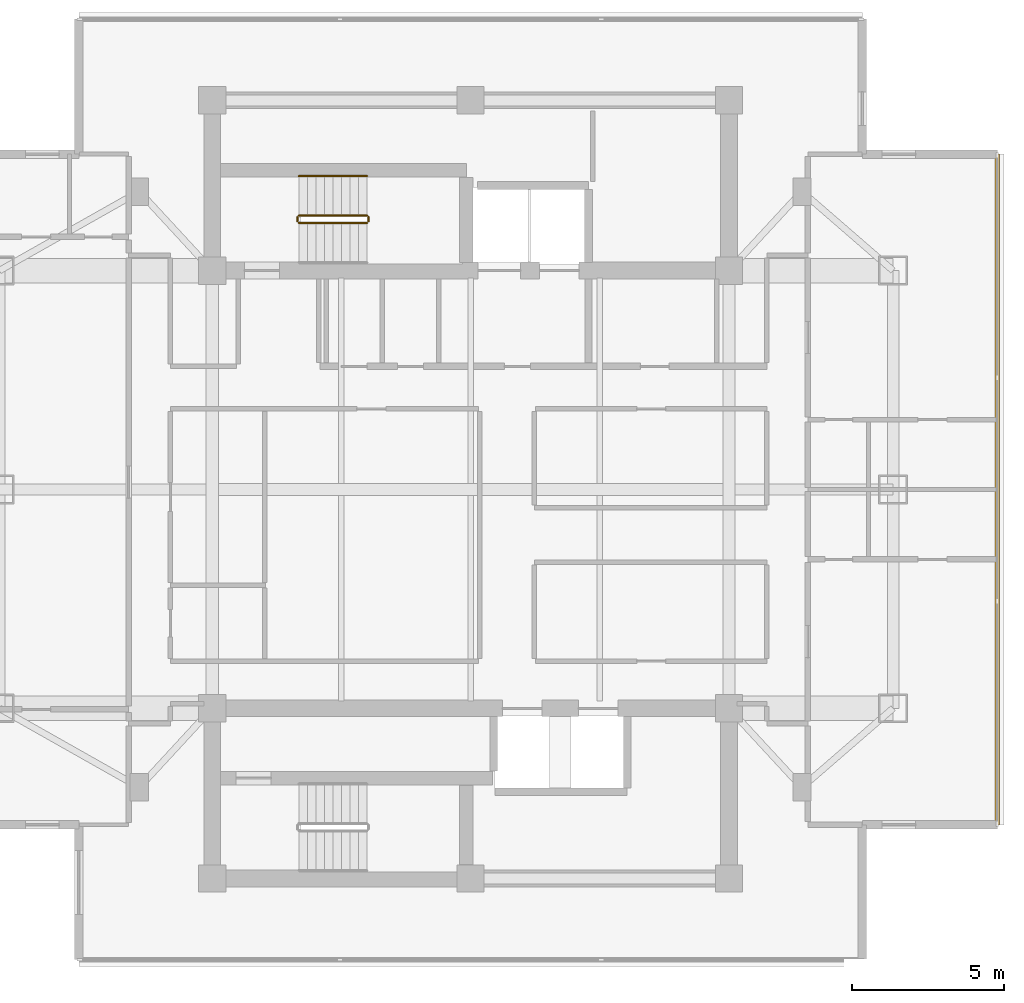
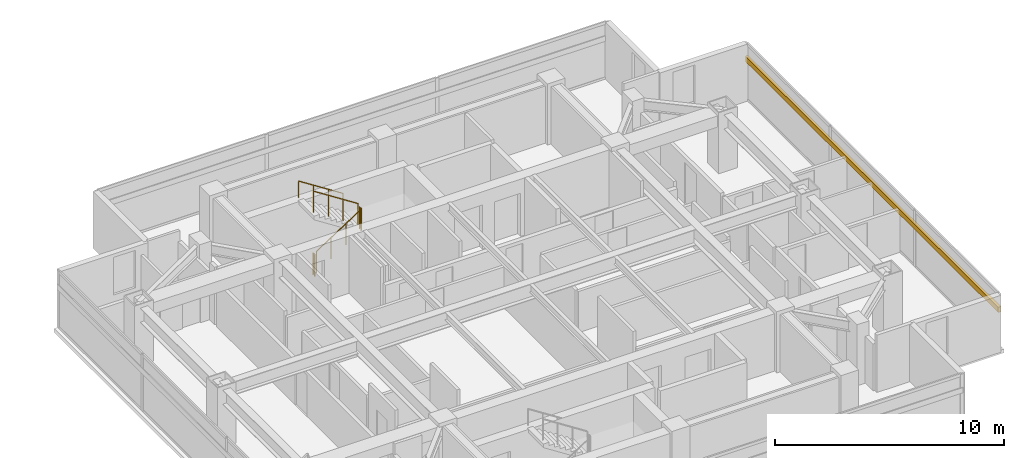
# One storey, part 23 of 24: 5 railings, 1 shading device.
"""IFC4 building model written with IfcOpenShell, lengths in metres."""

from ifc_helpers import new_model, si_unit, direction, frame, origin, origin_2d, place, context, subcontext, project, spatial, rectangle, circle, extrude, material, material_profile, profile_set, type_object, element, save


model = new_model("IFC4")

# Units and contexts
model_context = context("Model", 3, precision=1e-05, world=origin(), true_north=direction((0.0, 1.0)))
body_context = subcontext(model_context, "Body", "Model", "MODEL_VIEW")
ifc_project = project(units=[si_unit("LENGTHUNIT", "METRE"), si_unit("AREAUNIT", "SQUARE_METRE"), si_unit("VOLUMEUNIT", "CUBIC_METRE"), si_unit("PLANEANGLEUNIT", "RADIAN"), si_unit("MASSUNIT", "GRAM", prefix="KILO")], contexts=[model_context])

# Site, building, storey
site_placement = place(None, origin())
site = spatial("IfcSite", under=ifc_project, at=site_placement, CompositionType="ELEMENT")
building_placement = place(site_placement, origin())
building = spatial("IfcBuilding", under=site, at=building_placement, Name="Mirazonda Arch Towers", CompositionType="ELEMENT")
storey_placement = place(building_placement, frame((0.0, 0.0, 196.64990234375)))
storey = spatial("IfcBuildingStorey", under=building, at=storey_placement, Name="L56", CompositionType="ELEMENT", Elevation=196.64990234375)

# Shading device
ifc_material_1 = material(Name="Kiln-Fired Architectural Terracotta", Category="masonry")
ifc_material_profile = material_profile(ifc_material_1, rectangle(XDim=0.139892578125, YDim=0.280029296875, at=origin_2d()), Name="TERRA-BAG-140x280")
ifc_profile_set = profile_set([ifc_material_profile], Name="Kiln-Fired Architectural Terracotta")
shading_device_type = type_object("IfcShadingDeviceType", Name="BAGUETTE-3", PredefinedType="USERDEFINED", material=ifc_profile_set)
shading_device_placement = place(storey_placement, frame((93.82958984375, 16.968017578125, 2.181640625), z_axis=(0.0, 1.0, 0.0), x_axis=(-1.0, 0.0, 0.0)))
element("IfcShadingDevice", 1, at=shading_device_placement, inside=storey, type_object=shading_device_type, Name="L56 Glazed Terracotta Sun-Screen Baguette CW-L56-T2-E", ObjectType="BAGUETTE", PredefinedType="USERDEFINED", context=body_context, shape_type="SweptSolid", body=[
    extrude(rectangle(XDim=0.139892578125, YDim=0.280029296875, at=origin_2d()), origin(), (0.0, 0.0, 1.0), 22.06396484375),
])

# Railings
ifc_material_2 = material(Name="Architectural Brushed Steel S355", Category="steel")
railing_type_1 = type_object("IfcRailingType", Name="GUARD-STAIR-1120", PredefinedType="GUARDRAIL", material=ifc_material_2)
railing_1_placement = place(storey_placement, frame((70.85009765625, 36.77001953125, 0.1806640625)))
element("IfcRailing", 2, at=railing_1_placement, inside=storey, type_object=railing_type_1, Name="L56 ST-T2N stair guard 1", PredefinedType="GUARDRAIL", context=body_context, shape_type="SweptSolid", body=[
    extrude(circle(Radius=0.02392578125, at=origin_2d()), frame((0.0, 0.0, 1.1259765625), z_axis=(0.840436612492, 0.0, 0.541909863706), x_axis=(0.0, 1.0, 0.0)), (0.0, 0.0, 1.0), 2.665283203125),
    extrude(circle(Radius=0.02099609375, at=origin_2d()), origin(), (0.0, 0.0, 1.0), 1.101806640625),
    extrude(circle(Radius=0.02099609375, at=origin_2d()), frame((0.74658203125, 0.0, 0.4814453125)), (0.0, 0.0, 1.0), 1.101806640625),
    extrude(circle(Radius=0.02099609375, at=origin_2d()), frame((1.493408203125, 0.0, 0.962890625)), (0.0, 0.0, 1.0), 1.101806640625),
    extrude(circle(Radius=0.02099609375, at=origin_2d()), frame((2.239990234375, 0.0, 1.4443359375)), (0.0, 0.0, 1.0), 1.101806640625),
])
railing_2_placement = place(storey_placement, frame((73.139892578125, 36.820068359375, 1.625)))
element("IfcRailing", 3, at=railing_2_placement, inside=storey, type_object=railing_type_1, Name="L56 ST-T2N stair guard 2", PredefinedType="GUARDRAIL", context=body_context, shape_type="SweptSolid", body=[
    extrude(circle(Radius=0.02392578125, at=origin_2d()), frame((0.0, 0.0, 1.1259765625), z_axis=(0.0, 1.0, 0.0), x_axis=(-1.0, 0.0, 0.0)), (0.0, 0.0, 1.0), 0.139892578125),
    extrude(circle(Radius=0.02099609375, at=origin_2d()), origin(), (0.0, 0.0, 1.0), 1.101806640625),
    extrude(circle(Radius=0.02099609375, at=origin_2d()), frame((0.0, 0.139892578125, 0.0)), (0.0, 0.0, 1.0), 1.101806640625),
])
railing_3_placement = place(storey_placement, frame((73.090087890625, 37.010009765625, 1.8056640625)))
element("IfcRailing", 4, at=railing_3_placement, inside=storey, type_object=railing_type_1, Name="L56 ST-T2N stair guard 3", PredefinedType="GUARDRAIL", context=body_context, shape_type="SweptSolid", body=[
    extrude(circle(Radius=0.02392578125, at=origin_2d()), frame((0.0, 0.0, 1.1259765625), z_axis=(-0.840436612492, 0.0, 0.541909863706), x_axis=(0.0, -1.0, 0.0)), (0.0, 0.0, 1.0), 2.665283203125),
    extrude(circle(Radius=0.02099609375, at=origin_2d()), origin(), (0.0, 0.0, 1.0), 1.101806640625),
    extrude(circle(Radius=0.02099609375, at=origin_2d()), frame((-0.74658203125, 0.0, 0.4814453125)), (0.0, 0.0, 1.0), 1.101806640625),
    extrude(circle(Radius=0.02099609375, at=origin_2d()), frame((-1.493408203125, 0.0, 0.962890625)), (0.0, 0.0, 1.0), 1.101806640625),
    extrude(circle(Radius=0.02099609375, at=origin_2d()), frame((-2.239990234375, 0.0, 1.4443359375)), (0.0, 0.0, 1.0), 1.101806640625),
])
railing_4_placement = place(storey_placement, frame((70.800048828125, 36.820068359375, 0.0)))
element("IfcRailing", 5, at=railing_4_placement, inside=storey, type_object=railing_type_1, Name="L56 ST-T2N stair guard 4", PredefinedType="GUARDRAIL", context=body_context, shape_type="SweptSolid", body=[
    extrude(circle(Radius=0.02392578125, at=origin_2d()), frame((0.0, 0.0, 1.1259765625), z_axis=(0.0, 1.0, 0.0), x_axis=(-1.0, 0.0, 0.0)), (0.0, 0.0, 1.0), 0.139892578125),
    extrude(circle(Radius=0.02099609375, at=origin_2d()), origin(), (0.0, 0.0, 1.0), 1.101806640625),
    extrude(circle(Radius=0.02099609375, at=origin_2d()), frame((0.0, 0.139892578125, 0.0)), (0.0, 0.0, 1.0), 1.101806640625),
])
railing_type_2 = type_object("IfcRailingType", Name="HANDRAIL-915", PredefinedType="HANDRAIL", material=ifc_material_2)
railing_5_placement = place(storey_placement, frame((73.090087890625, 38.31005859375, 1.8056640625)))
element("IfcRailing", 6, at=railing_5_placement, inside=storey, type_object=railing_type_2, Name="L56 ST-T2N stair handrail 2", PredefinedType="HANDRAIL", context=body_context, shape_type="SweptSolid", body=[
    extrude(circle(Radius=0.02392578125, at=origin_2d()), frame((0.0, 0.0, 0.8759765625), z_axis=(-0.840436612492, 0.0, 0.541909863706), x_axis=(0.0, -1.0, 0.0)), (0.0, 0.0, 1.0), 2.665283203125),
    extrude(circle(Radius=0.02099609375, at=origin_2d()), origin(), (0.0, 0.0, 1.0), 0.851806640625),
    extrude(circle(Radius=0.02099609375, at=origin_2d()), frame((-0.74658203125, 0.0, 0.4814453125)), (0.0, 0.0, 1.0), 0.851806640625),
    extrude(circle(Radius=0.02099609375, at=origin_2d()), frame((-1.493408203125, 0.0, 0.962890625)), (0.0, 0.0, 1.0), 0.851806640625),
    extrude(circle(Radius=0.02099609375, at=origin_2d()), frame((-2.239990234375, 0.0, 1.4443359375)), (0.0, 0.0, 1.0), 0.851806640625),
])

save(model, "model.ifc")
